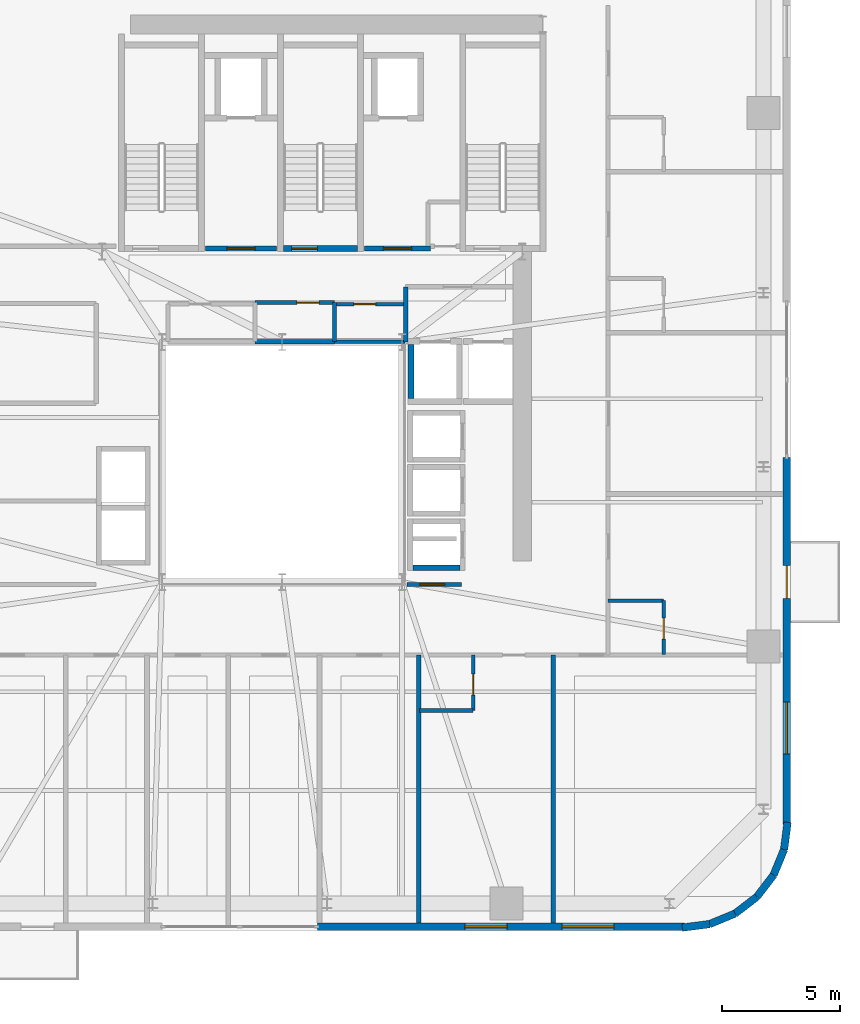
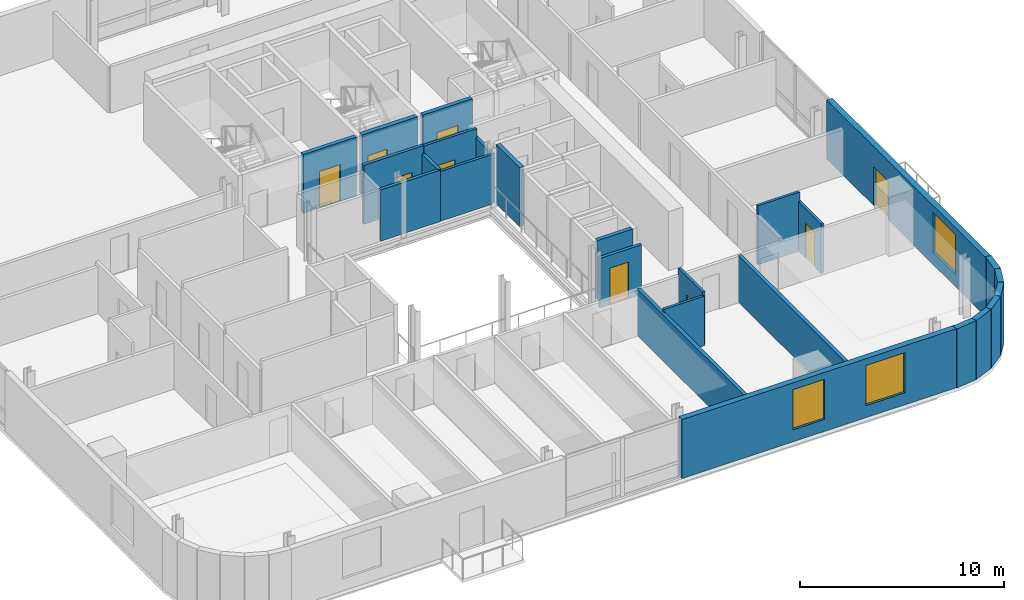
# One storey, part 9 of 16: 26 walls, 9 doors, 3 windows, 12 openings.
"""IFC4 building model written with IfcOpenShell, lengths in metres."""

import ifcopenshell
import ifcopenshell.guid

model = None  # the IFC model being written
_history = None  # IfcOwnerHistory: only IFC2X3 demands one
_inside = {}  # id of a spatial element -> (the spatial element, [elements in it])
_under = {}  # id of a project, library or spatial element -> (it, [spatial elements below it])
_declared = {}  # id of a project -> (the project, [libraries it declares])
_typed = {}  # id of a type object -> (the type object, [elements of that type])
_made_of = {}  # id of a material, layer set ... -> (it, [elements and type objects made of it])


def new_model(schema):
    """Start an empty IFC model of exactly this schema.

    Asked for "IFC4X3", IfcOpenShell would pick the latest addendum, in which some entities
    have other attributes; the version numbers below select the first issue.
    IFC2X3 requires an IfcOwnerHistory on every rooted entity: one is made here for all.
    """
    global model, _history
    if schema == "IFC4X3":
        model = ifcopenshell.file(schema_version=(4, 3, 0, 0))
    else:
        model = ifcopenshell.file(schema=schema)
    _inside.clear()
    _under.clear()
    _declared.clear()
    _typed.clear()
    _made_of.clear()
    _history = None
    if model.schema == "IFC2X3":
        org = make("IfcOrganization", Name="unknown")
        user = make(
            "IfcPersonAndOrganization",
            ThePerson=make("IfcPerson", FamilyName="unknown"),
            TheOrganization=org,
        )
        app = make(
            "IfcApplication",
            ApplicationDeveloper=org,
            Version="unknown",
            ApplicationFullName="unknown",
            ApplicationIdentifier="unknown",
        )
        _history = make(
            "IfcOwnerHistory",
            OwningUser=user,
            OwningApplication=app,
            ChangeAction="ADDED",
            CreationDate=0,
        )
    return model


def make(cls, **values):
    """One entity of the class cls with the attributes given. An attribute that is None is left unset."""
    return model.create_entity(
        cls, **{name: value for name, value in values.items() if value is not None}
    )


def rooted(cls, **values):
    """An entity with a GlobalId (a new one), such as an element, a storey or a relation."""
    return make(cls, GlobalId=ifcopenshell.guid.new(), OwnerHistory=_history, **values)


def si_unit(unit_type, name, prefix=None):
    """IfcSIUnit, for example si_unit("LENGTHUNIT", "METRE", prefix="MILLI")."""
    return make("IfcSIUnit", UnitType=unit_type, Prefix=prefix, Name=name)


def assignment(units):
    """IfcUnitAssignment: the units of a project."""
    return None if units is None else make("IfcUnitAssignment", Units=units)


def point(xyz):
    """IfcCartesianPoint."""
    return None if xyz is None else make("IfcCartesianPoint", Coordinates=xyz)


def direction(xyz):
    """IfcDirection."""
    return None if xyz is None else make("IfcDirection", DirectionRatios=xyz)


def frame(location, z_axis=None, x_axis=None):
    """IfcAxis2Placement3D, a coordinate frame: its origin and axes. An axis left out is left unset."""
    return make(
        "IfcAxis2Placement3D",
        Location=point(location),
        Axis=direction(z_axis),
        RefDirection=direction(x_axis),
    )


def frame_2d(location, x_axis=None):
    """IfcAxis2Placement2D, a coordinate frame in the plane: its origin and x axis."""
    return make(
        "IfcAxis2Placement2D", Location=point(location), RefDirection=direction(x_axis)
    )


def origin():
    """The frame at (0, 0, 0) with its axes left unset."""
    return frame((0.0, 0.0, 0.0))


def place(relative_to, where):
    """IfcLocalPlacement: puts the frame where relative to a parent placement (None: the world)."""
    return make(
        "IfcLocalPlacement", PlacementRelTo=relative_to, RelativePlacement=where
    )


def context(
    kind, dimensions, precision=None, world=None, true_north=None, identifier=None
):
    """IfcGeometricRepresentationContext, for example the 3D "Model" context."""
    return make(
        "IfcGeometricRepresentationContext",
        ContextIdentifier=identifier,
        ContextType=kind,
        CoordinateSpaceDimension=dimensions,
        Precision=precision,
        WorldCoordinateSystem=world,
        TrueNorth=true_north,
    )


def subcontext(parent, identifier, kind, view, scale=None):
    """IfcGeometricRepresentationSubContext, for example "Body" below "Model"."""
    return make(
        "IfcGeometricRepresentationSubContext",
        ContextIdentifier=identifier,
        ContextType=kind,
        ParentContext=parent,
        TargetScale=scale,
        TargetView=view,
    )


def project(units=None, contexts=None):
    """IfcProject with its units and contexts."""
    return rooted(
        "IfcProject",
        Name="project",
        RepresentationContexts=contexts,
        UnitsInContext=assignment(units),
    )


def spatial(cls, under=None, at=None, **own):
    """A site, building, storey or space (cls), placed at a placement, below another one or the project."""
    s = rooted(cls, ObjectPlacement=at, **own)
    if under is not None:
        _under.setdefault(under.id(), (under, []))[1].append(s)
    return s


def profile(cls, at=None, kind="AREA", **sizes):
    """A parametric profile (cls). Its sizes go by their IFC names, for example OverallWidth=200.0."""
    return make(cls, ProfileType=kind, Position=at, **sizes)


def rectangle(**sizes):
    """IfcRectangleProfileDef."""
    return profile("IfcRectangleProfileDef", **sizes)


def extrude(swept, where, along, depth):
    """IfcExtrudedAreaSolid: the profile swept, set in the frame where, extruded along a direction by depth."""
    return make(
        "IfcExtrudedAreaSolid",
        SweptArea=swept,
        Position=where,
        ExtrudedDirection=direction(along),
        Depth=depth,
    )


def shape(context_of_items, identifier, shape_type, items):
    """IfcShapeRepresentation: the items that make up one representation, for example the "Body"."""
    return make(
        "IfcShapeRepresentation",
        ContextOfItems=context_of_items,
        RepresentationIdentifier=identifier,
        RepresentationType=shape_type,
        Items=items,
    )


def source(mapping_origin, context_of_items, identifier, shape_type, items):
    """IfcRepresentationMap: a shape defined once, which mapped items show again and again."""
    return make(
        "IfcRepresentationMap",
        MappingOrigin=mapping_origin,
        MappedRepresentation=shape(context_of_items, identifier, shape_type, items),
    )


def transform(
    local_origin,
    x_axis=None,
    y_axis=None,
    z_axis=None,
    scale=None,
    scale2=None,
    scale3=None,
    uniform=True,
):
    """IfcCartesianTransformationOperator3D, or its non-uniform kind. x_axis, y_axis, z_axis: its Axis1, 2, 3."""
    if uniform:
        return make(
            "IfcCartesianTransformationOperator3D",
            Axis1=direction(x_axis),
            Axis2=direction(y_axis),
            LocalOrigin=point(local_origin),
            Scale=scale,
            Axis3=direction(z_axis),
        )
    return make(
        "IfcCartesianTransformationOperator3DnonUniform",
        Axis1=direction(x_axis),
        Axis2=direction(y_axis),
        LocalOrigin=point(local_origin),
        Scale=scale,
        Axis3=direction(z_axis),
        Scale2=scale2,
        Scale3=scale3,
    )


def mapped(mapping_source, mapping_target):
    """IfcMappedItem: shows the shape of a source again, moved by a transform."""
    return make(
        "IfcMappedItem", MappingSource=mapping_source, MappingTarget=mapping_target
    )


def material(Name=None, Category=None):
    """IfcMaterial."""
    return make("IfcMaterial", Name=Name, Category=Category)


def layer(
    of_material, thickness, ventilated=None, Name=None, Category=None, Priority=None
):
    """IfcMaterialLayer: one layer of a wall or slab, of a material (None: an air gap)."""
    return make(
        "IfcMaterialLayer",
        Material=of_material,
        LayerThickness=thickness,
        IsVentilated=ventilated,
        Name=Name,
        Category=Category,
        Priority=Priority,
    )


def layer_set(layers, Name=None):
    """IfcMaterialLayerSet."""
    return make("IfcMaterialLayerSet", MaterialLayers=layers, LayerSetName=Name)


def made_of(thing, what):
    """Note that an element or type object is made of a material, layer set ...; save() writes the relation."""
    if what is not None:
        _made_of.setdefault(what.id(), (what, []))[1].append(thing)
    return thing


def type_object(cls, material=None, **own):
    """A type object (cls), such as IfcWallType, which elements share."""
    return made_of(rooted(cls, **own), material)


def element(
    cls,
    number,
    at=None,
    inside=None,
    cuts=None,
    type_object=None,
    material=None,
    context=None,
    identifier="Body",
    shape_type=None,
    held_by="IfcProductDefinitionShape",
    body=None,
    shapes=None,
    **own,
):
    """One element of the class cls, such as IfcWall. Its Tag is "e" and its number.

    at: its placement. inside: the storey or other place that contains it. cuts: it is an
    opening in that element (IfcRelVoidsElement). A single representation is given by context,
    identifier, shape_type and body (its items); several are given by shapes. held_by: the class
    of the entity that holds the representations. save() writes the other relations.
    """
    e = rooted(cls, Tag="e%d" % number, ObjectPlacement=at, **own)
    if body is not None:
        shapes = [shape(context, identifier, shape_type, body)]
    if shapes is not None:
        e.Representation = make(held_by, Representations=shapes)
    if inside is not None:
        _inside.setdefault(inside.id(), (inside, []))[1].append(e)
    if cuts is not None:
        rooted(
            "IfcRelVoidsElement", RelatingBuildingElement=cuts, RelatedOpeningElement=e
        )
    if type_object is not None:
        _typed.setdefault(type_object.id(), (type_object, []))[1].append(e)
    return made_of(e, material)


def fill(opening, filler):
    """IfcRelFillsElement: the door or window that sits in an opening."""
    return rooted(
        "IfcRelFillsElement",
        RelatingOpeningElement=opening,
        RelatedBuildingElement=filler,
    )


def aggregate(whole, parts):
    """IfcRelAggregates: a whole, such as a stair, and the parts it consists of."""
    return rooted("IfcRelAggregates", RelatingObject=whole, RelatedObjects=parts)


def save(model, path):
    """Write the relations noted so far, then the file.

    IfcRelAggregates (storeys below a building ...), IfcRelContainedInSpatialStructure (elements
    in a storey), IfcRelDefinesByType, IfcRelAssociatesMaterial and IfcRelDeclares: one each for
    every whole, place, type object, material and project.
    """
    for whole, parts in _under.values():
        aggregate(whole, parts)
    for where, things in _inside.values():
        rooted(
            "IfcRelContainedInSpatialStructure",
            RelatedElements=things,
            RelatingStructure=where,
        )
    for kind, things in _typed.values():
        rooted("IfcRelDefinesByType", RelatedObjects=things, RelatingType=kind)
    for what, things in _made_of.values():
        rooted("IfcRelAssociatesMaterial", RelatedObjects=things, RelatingMaterial=what)
    for by, libraries in _declared.values():
        rooted("IfcRelDeclares", RelatingContext=by, RelatedDefinitions=libraries)
    model.write(path)


model = new_model("IFC4")

# Units and contexts
model_context = context("Model", 3, precision=1e-05, world=origin(), true_north=direction((0.0, 1.0)))
body_context = subcontext(model_context, "Body", "Model", "MODEL_VIEW")
ifc_project = project(units=[si_unit("LENGTHUNIT", "METRE"), si_unit("AREAUNIT", "SQUARE_METRE"), si_unit("VOLUMEUNIT", "CUBIC_METRE"), si_unit("PLANEANGLEUNIT", "RADIAN"), si_unit("MASSUNIT", "GRAM", prefix="KILO")], contexts=[model_context])

# Site, building, storey
site_placement = place(None, origin())
site = spatial("IfcSite", under=ifc_project, at=site_placement, CompositionType="ELEMENT")
building_placement = place(site_placement, origin())
building = spatial("IfcBuilding", under=site, at=building_placement, Name="Vardaveli Station Tower", CompositionType="ELEMENT")
storey_placement = place(building_placement, frame((0.0, 0.0, 184.800048828125)))
storey = spatial("IfcBuildingStorey", under=building, at=storey_placement, Name="L47", CompositionType="ELEMENT", Elevation=184.800048828125)

# Wall, openings, windows
ifc_material_1 = material(Name="Precast concrete C45/55", Category="concrete")
ifc_layer_1 = layer(ifc_material_1, 0.320068359375, Name="Precast concrete C45/55")
ifc_layer_set_1 = layer_set([ifc_layer_1], Name="Precast concrete C45/55")
wall_type_1 = type_object("IfcWallType", Name="WAL-EXT-STONE-320", PredefinedType="SOLIDWALL", material=ifc_layer_set_1)
shared_shape_1 = source(origin(), body_context, "Body", "SweptSolid", [
    extrude(rectangle(XDim=15.599853515625, YDim=0.320068359375, at=frame_2d((7.7998046875, 0.0))), origin(), (0.0, 0.0, 1.0), 3.530029296875),
])
wall_1_placement = place(storey_placement, frame((37.800048828125, 1.9599609375, 0.0), z_axis=(0.0, 0.0, 1.0), x_axis=(1.0, 0.0, 0.0)))
wall_1 = element("IfcWall", 1, at=wall_1_placement, inside=storey, type_object=wall_type_1, Name="EW-L47-S2", PredefinedType="SOLIDWALL", context=body_context, shape_type="MappedRepresentation", body=[
    mapped(shared_shape_1, transform((0.0, 0.0, 0.0), scale=1.0)),
])
shared_shape_2 = source(origin(), body_context, "Body", "SweptSolid", [
    extrude(rectangle(XDim=2.199951171875, YDim=2.39990234375, at=frame_2d((1.10009765625, 1.199951171875))), frame((0.0, 0.169921875, 0.0), z_axis=(0.0, -1.0, 0.0), x_axis=(1.0, 0.0, 0.0)), (0.0, 0.0, 1.0), 0.340087890625),
])
opening_1_placement = place(wall_1_placement, frame((10.39501953125, 0.0, 0.719970703125)))
opening_1 = element("IfcOpeningElement", 2, at=opening_1_placement, cuts=wall_1, Name="Opening W-03", PredefinedType="OPENING", context=body_context, shape_type="MappedRepresentation", body=[
    mapped(shared_shape_2, transform((0.0, 0.0, 0.0), scale=1.0)),
])
shared_shape_3 = source(origin(), body_context, "Body", "SweptSolid", [
    extrude(rectangle(XDim=1.800048828125, YDim=2.39990234375, at=frame_2d((0.89990234375, 1.199951171875))), frame((0.0, 0.169921875, 0.0), z_axis=(0.0, -1.0, 0.0), x_axis=(1.0, 0.0, 0.0)), (0.0, 0.0, 1.0), 0.340087890625),
])
opening_2_placement = place(wall_1_placement, frame((6.262451171875, 0.0, 0.719970703125)))
opening_2 = element("IfcOpeningElement", 3, at=opening_2_placement, cuts=wall_1, Name="Opening W-05", PredefinedType="OPENING", context=body_context, shape_type="MappedRepresentation", body=[
    mapped(shared_shape_3, transform((0.0, 0.0, 0.0), scale=1.0)),
])
ifc_material_2 = material(Name="Low-E solar-control glass", Category="glass")
window_type_1 = type_object("IfcWindowType", Name="WIN-LOG-2200x2400", PartitioningType="SINGLE_PANEL", PredefinedType="WINDOW", material=ifc_material_2)
shared_shape_4 = source(origin(), body_context, "Body", "SweptSolid", [
    extrude(rectangle(XDim=2.199951171875, YDim=2.39990234375, at=frame_2d((1.10009765625, 1.199951171875))), frame((0.0, 0.030029296875, 0.0), z_axis=(0.0, -1.0, 0.0), x_axis=(1.0, 0.0, 0.0)), (0.0, 0.0, 1.0), 0.06005859375),
])
window_1_placement = place(opening_1_placement, origin())
window_1 = element("IfcWindow", 4, at=window_1_placement, inside=storey, type_object=window_type_1, Name="WN-L47-S2", OverallHeight=2.39990234375, OverallWidth=2.199951171875, PartitioningType="SINGLE_PANEL", PredefinedType="WINDOW", context=body_context, shape_type="MappedRepresentation", body=[
    mapped(shared_shape_4, transform((0.0, 0.0, 0.0), scale=1.0)),
])
fill(opening_1, window_1)
window_type_2 = type_object("IfcWindowType", Name="WIN-HIGH-1800x2400", PartitioningType="SINGLE_PANEL", PredefinedType="WINDOW", material=ifc_material_2)
shared_shape_5 = source(origin(), body_context, "Body", "SweptSolid", [
    extrude(rectangle(XDim=1.800048828125, YDim=2.39990234375, at=frame_2d((0.89990234375, 1.199951171875))), frame((0.0, 0.030029296875, 0.0), z_axis=(0.0, -1.0, 0.0), x_axis=(1.0, 0.0, 0.0)), (0.0, 0.0, 1.0), 0.06005859375),
])
window_2_placement = place(opening_2_placement, origin())
window_2 = element("IfcWindow", 5, at=window_2_placement, inside=storey, type_object=window_type_2, Name="WN-L47-GW1", OverallHeight=2.39990234375, OverallWidth=1.800048828125, PartitioningType="SINGLE_PANEL", PredefinedType="WINDOW", context=body_context, shape_type="MappedRepresentation", body=[
    mapped(shared_shape_5, transform((0.0, 0.0, 0.0), scale=1.0)),
])
fill(opening_2, window_2)

# Wall, openings, door, window
wall_2_placement = place(storey_placement, frame((57.739990234375, 6.300048828125, 0.0), z_axis=(0.0, 0.0, 1.0), x_axis=(0.0, 1.0, 0.0)))
wall_2 = element("IfcWall", 6, at=wall_2_placement, inside=storey, type_object=wall_type_1, Name="EW-L47-E1", PredefinedType="SOLIDWALL", context=body_context, shape_type="MappedRepresentation", body=[
    mapped(shared_shape_1, transform((0.0, 0.0, 0.0), scale=1.0)),
])
shared_shape_6 = source(origin(), body_context, "Body", "SweptSolid", [
    extrude(rectangle(XDim=1.39990234375, YDim=2.300048828125, at=frame_2d((0.699951171875, 1.14990234375))), frame((0.0, 0.169921875, 0.0), z_axis=(0.0, -1.0, 0.0), x_axis=(1.0, 0.0, 0.0)), (0.0, 0.0, 1.0), 0.340087890625),
])
opening_3_placement = place(wall_2_placement, frame((9.6103515625, 0.0, 0.0)))
opening_3 = element("IfcOpeningElement", 7, at=opening_3_placement, cuts=wall_2, Name="Opening D-09", PredefinedType="OPENING", context=body_context, shape_type="MappedRepresentation", body=[
    mapped(shared_shape_6, transform((0.0, 0.0, 0.0), scale=1.0)),
])
opening_4_placement = place(wall_2_placement, frame((3.0048828125, 0.0, 0.719970703125)))
opening_4 = element("IfcOpeningElement", 8, at=opening_4_placement, cuts=wall_2, Name="Opening W-03", PredefinedType="OPENING", context=body_context, shape_type="MappedRepresentation", body=[
    mapped(shared_shape_2, transform((0.0, 0.0, 0.0), scale=1.0)),
])
ifc_material_3 = material(Name="Thermally broken aluminium glass", Category="aluminium")
door_type_1 = type_object("IfcDoorType", Name="DR-LOG-1400x2300", OperationType="DOUBLE_DOOR_SLIDING", PredefinedType="DOOR", material=ifc_material_3)
shared_shape_7 = source(origin(), body_context, "Body", "SweptSolid", [
    extrude(rectangle(XDim=1.39990234375, YDim=2.300048828125, at=frame_2d((0.699951171875, 1.14990234375))), frame((0.0, 0.02490234375, 0.0), z_axis=(0.0, -1.0, 0.0), x_axis=(1.0, 0.0, 0.0)), (0.0, 0.0, 1.0), 0.050048828125),
])
door_1_placement = place(opening_3_placement, frame((1.39990234375, 0.0, 0.0), z_axis=(0.0, 0.0, 1.0), x_axis=(-1.0, 0.0, 0.0)))
door_1 = element("IfcDoor", 9, at=door_1_placement, inside=storey, type_object=door_type_1, Name="DLG-L47-E", OperationType="DOUBLE_DOOR_SLIDING", OverallHeight=2.300048828125, OverallWidth=1.39990234375, PredefinedType="DOOR", context=body_context, shape_type="MappedRepresentation", body=[
    mapped(shared_shape_7, transform((0.0, 0.0, 0.0), scale=1.0)),
])
fill(opening_3, door_1)
window_3_placement = place(opening_4_placement, origin())
window_3 = element("IfcWindow", 10, at=window_3_placement, inside=storey, type_object=window_type_1, Name="WN-L47-E1", OverallHeight=2.39990234375, OverallWidth=2.199951171875, PartitioningType="SINGLE_PANEL", PredefinedType="WINDOW", context=body_context, shape_type="MappedRepresentation", body=[
    mapped(shared_shape_4, transform((0.0, 0.0, 0.0), scale=1.0)),
])
fill(opening_4, window_3)

# Walls
shared_shape_8 = source(origin(), body_context, "Body", "SweptSolid", [
    extrude(rectangle(XDim=1.170654296875, YDim=0.320068359375, at=frame_2d((0.58544921875, 0.0))), origin(), (0.0, 0.0, 1.0), 3.530029296875),
])
wall_3_placement = place(storey_placement, frame((57.62548828125, 5.23974609375, 0.0), z_axis=(0.0, 0.0, 1.0), x_axis=(0.128269133229, 0.991739395941, 0.0)))
element("IfcWall", 11, at=wall_3_placement, inside=storey, type_object=wall_type_1, Name="EW-L47-CR2-6", PredefinedType="SOLIDWALL", context=body_context, shape_type="MappedRepresentation", body=[
    mapped(shared_shape_8, transform((0.0, 0.0, 0.0), scale=1.0)),
])
shared_shape_9 = source(origin(), body_context, "Body", "SweptSolid", [
    extrude(rectangle(XDim=1.1689453125, YDim=0.320068359375, at=frame_2d((0.58447265625, 0.0))), origin(), (0.0, 0.0, 1.0), 3.530029296875),
])
for number, where, z_axis, x_axis, name in (
    (12, (56.46875, 3.231201171875, 0.0), (0.0, 0.0, 1.0), (0.608387696831, 0.793639975269, 0.0), "EW-L47-CR2-4"),
    (13, (57.179931640625, 4.158935546875, 0.0), (0.0, 0.0, 1.0), (0.381127904695, 0.924522320046, 0.0), "EW-L47-CR2-5"),
):
    element("IfcWall", number, at=place(storey_placement, frame(where, z_axis=z_axis, x_axis=x_axis)), inside=storey, type_object=wall_type_1, Name=name, PredefinedType="SOLIDWALL", context=body_context, shape_type="MappedRepresentation", body=[
        mapped(shared_shape_9, transform((0.0, 0.0, 0.0), scale=1.0)),
    ])
shared_shape_10 = source(origin(), body_context, "Body", "SweptSolid", [
    extrude(rectangle(XDim=1.168701171875, YDim=0.320068359375, at=frame_2d((0.58447265625, 0.0))), origin(), (0.0, 0.0, 1.0), 3.530029296875),
])
wall_4_placement = place(storey_placement, frame((55.541259765625, 2.520263671875, 0.0), z_axis=(0.0, 0.0, 1.0), x_axis=(0.793663520347, 0.608356981114, 0.0)))
element("IfcWall", 14, at=wall_4_placement, inside=storey, type_object=wall_type_1, Name="EW-L47-CR2-3", PredefinedType="SOLIDWALL", context=body_context, shape_type="MappedRepresentation", body=[
    mapped(shared_shape_10, transform((0.0, 0.0, 0.0), scale=1.0)),
])
shared_shape_11 = source(origin(), body_context, "Body", "SweptSolid", [
    extrude(rectangle(XDim=1.16943359375, YDim=0.320068359375, at=frame_2d((0.584716796875, 0.0))), origin(), (0.0, 0.0, 1.0), 3.530029296875),
])
wall_5_placement = place(storey_placement, frame((54.460205078125, 2.074462890625, 0.0), z_axis=(0.0, 0.0, 1.0), x_axis=(0.924479075121, 0.381232789334, 0.0)))
element("IfcWall", 15, at=wall_5_placement, inside=storey, type_object=wall_type_1, Name="EW-L47-CR2-2", PredefinedType="SOLIDWALL", context=body_context, shape_type="MappedRepresentation", body=[
    mapped(shared_shape_11, transform((0.0, 0.0, 0.0), scale=1.0)),
])
shared_shape_12 = source(origin(), body_context, "Body", "SweptSolid", [
    extrude(rectangle(XDim=1.170166015625, YDim=0.320068359375, at=frame_2d((0.5849609375, 0.0))), origin(), (0.0, 0.0, 1.0), 3.530029296875),
])
wall_6_placement = place(storey_placement, frame((53.299560546875, 1.924560546875, 0.0), z_axis=(0.0, 0.0, 1.0), x_axis=(0.991762485493, 0.128090485085, 0.0)))
element("IfcWall", 16, at=wall_6_placement, inside=storey, type_object=wall_type_1, Name="EW-L47-CR2-1", PredefinedType="SOLIDWALL", context=body_context, shape_type="MappedRepresentation", body=[
    mapped(shared_shape_12, transform((0.0, 0.0, 0.0), scale=1.0)),
])

# Wall, opening, door
ifc_material_4 = material(Name="Concrete C40/50", Category="concrete")
ifc_layer_2 = layer(ifc_material_4, 0.25, Name="Concrete C40/50")
ifc_layer_set_2 = layer_set([ifc_layer_2], Name="Concrete C40/50")
wall_type_2 = type_object("IfcWallType", Name="WAL-SHAFT-250", PredefinedType="SOLIDWALL", material=ifc_layer_set_2)
shared_shape_13 = source(origin(), body_context, "Body", "SweptSolid", [
    extrude(rectangle(XDim=3.14990234375, YDim=0.25, at=frame_2d((1.574951171875, 0.0))), origin(), (0.0, 0.0, 1.0), 3.550048828125),
])
wall_7_placement = place(storey_placement, frame((36.35009765625, 30.77490234375, 0.0), z_axis=(0.0, 0.0, 1.0), x_axis=(1.0, 0.0, 0.0)))
wall_7 = element("IfcWall", 17, at=wall_7_placement, inside=storey, type_object=wall_type_2, Name="W-L47-ST-2S", PredefinedType="SOLIDWALL", context=body_context, shape_type="MappedRepresentation", body=[
    mapped(shared_shape_13, transform((0.0, 0.0, 0.0), scale=1.0)),
])
shared_shape_14 = source(origin(), body_context, "Body", "SweptSolid", [
    extrude(rectangle(XDim=1.10009765625, YDim=2.199951171875, at=frame_2d((0.550048828125, 1.10009765625))), frame((0.0, 0.135009765625, 0.0), z_axis=(0.0, -1.0, 0.0), x_axis=(1.0, 0.0, 0.0)), (0.0, 0.0, 1.0), 0.27001953125),
])
opening_5_placement = place(wall_7_placement, frame((0.35009765625, 0.0, 0.0)))
opening_5 = element("IfcOpeningElement", 18, at=opening_5_placement, cuts=wall_7, Name="Opening D-04", PredefinedType="OPENING", context=body_context, shape_type="MappedRepresentation", body=[
    mapped(shared_shape_14, transform((0.0, 0.0, 0.0), scale=1.0)),
])
ifc_material_5 = material(Name="Steel smokeproof fire doorset", Category="steel")
door_type_2 = type_object("IfcDoorType", Name="DR-ST-1100x2200", OperationType="NOTDEFINED", PredefinedType="DOOR", material=ifc_material_5)
shared_shape_15 = source(origin(), body_context, "Body", "SweptSolid", [
    extrude(rectangle(XDim=1.10009765625, YDim=2.199951171875, at=frame_2d((0.550048828125, 1.10009765625))), frame((0.0, 0.02490234375, 0.0), z_axis=(0.0, -1.0, 0.0), x_axis=(1.0, 0.0, 0.0)), (0.0, 0.0, 1.0), 0.050048828125),
])
door_2_placement = place(opening_5_placement, origin())
door_2 = element("IfcDoor", 19, at=door_2_placement, inside=storey, type_object=door_type_2, Name="DST-2-L47", OperationType="SINGLE_SWING_LEFT", OverallHeight=2.199951171875, OverallWidth=1.10009765625, PredefinedType="DOOR", context=body_context, shape_type="MappedRepresentation", body=[
    mapped(shared_shape_15, transform((0.0, 0.0, 0.0), scale=1.0)),
])
fill(opening_5, door_2)

ifc_layer_3 = layer(ifc_material_4, 0.219970703125, Name="Concrete C40/50")
ifc_layer_set_3 = layer_set([ifc_layer_3], Name="Concrete C40/50")
wall_type_3 = type_object("IfcWallType", Name="WAL-FFLOBBY-220", PredefinedType="SOLIDWALL", material=ifc_layer_set_3)
shared_shape_16 = source(origin(), body_context, "Body", "SweptSolid", [
    extrude(rectangle(XDim=3.0, YDim=0.219970703125, at=frame_2d((1.5, 0.0))), origin(), (0.0, 0.0, 1.0), 3.530029296875),
])
wall_8_placement = place(storey_placement, frame((33.050048828125, 30.780029296875, 0.0), z_axis=(0.0, 0.0, 1.0), x_axis=(1.0, 0.0, 0.0)))
wall_8 = element("IfcWall", 20, at=wall_8_placement, inside=storey, type_object=wall_type_3, Name="W-L47-FFL1S", PredefinedType="SOLIDWALL", context=body_context, shape_type="MappedRepresentation", body=[
    mapped(shared_shape_16, transform((0.0, 0.0, 0.0), scale=1.0)),
])
shared_shape_17 = source(origin(), body_context, "Body", "SweptSolid", [
    extrude(rectangle(XDim=1.199951171875, YDim=2.199951171875, at=frame_2d((0.60009765625, 1.10009765625))), frame((0.0, 0.1201171875, 0.0), z_axis=(0.0, -1.0, 0.0), x_axis=(1.0, 0.0, 0.0)), (0.0, 0.0, 1.0), 0.239990234375),
])
opening_6_placement = place(wall_8_placement, frame((0.89990234375, 0.0, 0.0)))
opening_6 = element("IfcOpeningElement", 21, at=opening_6_placement, cuts=wall_8, Name="Opening D-03", PredefinedType="OPENING", context=body_context, shape_type="MappedRepresentation", body=[
    mapped(shared_shape_17, transform((0.0, 0.0, 0.0), scale=1.0)),
])
door_type_3 = type_object("IfcDoorType", Name="DR-FFL-1200x2200", OperationType="NOTDEFINED", PredefinedType="DOOR", material=ifc_material_5)
shared_shape_18 = source(origin(), body_context, "Body", "SweptSolid", [
    extrude(rectangle(XDim=1.199951171875, YDim=2.199951171875, at=frame_2d((0.60009765625, 1.10009765625))), frame((0.0, 0.02490234375, 0.0), z_axis=(0.0, -1.0, 0.0), x_axis=(1.0, 0.0, 0.0)), (0.0, 0.0, 1.0), 0.050048828125),
])
door_3_placement = place(opening_6_placement, origin())
door_3 = element("IfcDoor", 22, at=door_3_placement, inside=storey, type_object=door_type_3, Name="DFFL1-L47", OperationType="SINGLE_SWING_LEFT", OverallHeight=2.199951171875, OverallWidth=1.199951171875, PredefinedType="DOOR", context=body_context, shape_type="MappedRepresentation", body=[
    mapped(shared_shape_18, transform((0.0, 0.0, 0.0), scale=1.0)),
])
fill(opening_6, door_3)

shared_shape_19 = source(origin(), body_context, "Body", "SweptSolid", [
    extrude(rectangle(XDim=2.800048828125, YDim=0.219970703125, at=frame_2d((1.39990234375, 0.0))), origin(), (0.0, 0.0, 1.0), 3.530029296875),
])
wall_9_placement = place(storey_placement, frame((39.800048828125, 30.780029296875, 0.0), z_axis=(0.0, 0.0, 1.0), x_axis=(1.0, 0.0, 0.0)))
wall_9 = element("IfcWall", 23, at=wall_9_placement, inside=storey, type_object=wall_type_3, Name="W-L47-FFL2S", PredefinedType="SOLIDWALL", context=body_context, shape_type="MappedRepresentation", body=[
    mapped(shared_shape_19, transform((0.0, 0.0, 0.0), scale=1.0)),
])
opening_7_placement = place(wall_9_placement, frame((0.800048828125, 0.0, 0.0)))
opening_7 = element("IfcOpeningElement", 24, at=opening_7_placement, cuts=wall_9, Name="Opening D-03", PredefinedType="OPENING", context=body_context, shape_type="MappedRepresentation", body=[
    mapped(shared_shape_17, transform((0.0, 0.0, 0.0), scale=1.0)),
])
door_4_placement = place(opening_7_placement, origin())
door_4 = element("IfcDoor", 25, at=door_4_placement, inside=storey, type_object=door_type_3, Name="DFFL2-L47", OperationType="SINGLE_SWING_RIGHT", OverallHeight=2.199951171875, OverallWidth=1.199951171875, PredefinedType="DOOR", context=body_context, shape_type="MappedRepresentation", body=[
    mapped(shared_shape_18, transform((0.0, 0.0, 0.0), scale=1.0)),
])
fill(opening_7, door_4)

# Walls
shared_shape_20 = source(origin(), body_context, "Body", "SweptSolid", [
    extrude(rectangle(XDim=2.0, YDim=0.219970703125, at=frame_2d((1.0, 0.0))), origin(), (0.0, 0.0, 1.0), 3.530029296875),
])
wall_10_placement = place(storey_placement, frame((41.85009765625, 17.215087890625, 0.0), z_axis=(0.0, 0.0, 1.0), x_axis=(1.0, 0.0, 0.0)))
element("IfcWall", 26, at=wall_10_placement, inside=storey, type_object=wall_type_3, Name="SHW-HL3-03-L47-S", PredefinedType="SOLIDWALL", context=body_context, shape_type="MappedRepresentation", body=[
    mapped(shared_shape_20, transform((0.0, 0.0, 0.0), scale=1.0)),
])
shared_shape_21 = source(origin(), body_context, "Body", "SweptSolid", [
    extrude(rectangle(XDim=2.300048828125, YDim=0.25, at=frame_2d((1.14990234375, 0.0))), origin(), (0.0, 0.0, 1.0), 3.530029296875),
])
wall_11_placement = place(storey_placement, frame((41.77490234375, 24.39990234375, 0.0), z_axis=(0.0, 0.0, 1.0), x_axis=(0.0, 1.0, 0.0)))
element("IfcWall", 27, at=wall_11_placement, inside=storey, type_object=wall_type_2, Name="SHW-SRV-01-L47-W", PredefinedType="SOLIDWALL", context=body_context, shape_type="MappedRepresentation", body=[
    mapped(shared_shape_21, transform((0.0, 0.0, 0.0), scale=1.0)),
])

# Wall, opening, door
ifc_material_6 = material(Name="Fire-rated gypsum stud partition")
ifc_layer_4 = layer(ifc_material_6, 0.179931640625, Name="Fire-rated gypsum stud partition")
ifc_layer_set_4 = layer_set([ifc_layer_4], Name="Fire-rated gypsum stud partition")
wall_type_4 = type_object("IfcWallType", Name="WAL-CORR-180", PredefinedType="PARTITIONING", material=ifc_layer_set_4)
shared_shape_22 = source(origin(), body_context, "Body", "SweptSolid", [
    extrude(rectangle(XDim=3.3701171875, YDim=0.179931640625, at=frame_2d((1.68505859375, 0.0))), origin(), (0.0, 0.0, 1.0), 3.530029296875),
])
wall_12_placement = place(storey_placement, frame((35.14990234375, 28.47998046875, 0.0), z_axis=(0.0, 0.0, 1.0), x_axis=(1.0, 0.0, 0.0)))
wall_12 = element("IfcWall", 28, at=wall_12_placement, inside=storey, type_object=wall_type_4, Name="W-L47-HKP2-N", PredefinedType="PARTITIONING", context=body_context, shape_type="MappedRepresentation", body=[
    mapped(shared_shape_22, transform((0.0, 0.0, 0.0), scale=1.0)),
])
shared_shape_23 = source(origin(), body_context, "Body", "SweptSolid", [
    extrude(rectangle(XDim=0.949951171875, YDim=2.14990234375, at=frame_2d((0.47509765625, 1.074951171875))), frame((0.0, 0.10009765625, 0.0), z_axis=(0.0, -1.0, 0.0), x_axis=(1.0, 0.0, 0.0)), (0.0, 0.0, 1.0), 0.199951171875),
])
opening_8_placement = place(wall_12_placement, frame((1.77490234375, 0.0, 0.0)))
opening_8 = element("IfcOpeningElement", 29, at=opening_8_placement, cuts=wall_12, Name="Opening D-06", PredefinedType="OPENING", context=body_context, shape_type="MappedRepresentation", body=[
    mapped(shared_shape_23, transform((0.0, 0.0, 0.0), scale=1.0)),
])
ifc_material_7 = material(Name="Oak veneer acoustic fire door")
door_type_4 = type_object("IfcDoorType", Name="DR-GUEST-950x2150", OperationType="NOTDEFINED", PredefinedType="DOOR", material=ifc_material_7)
shared_shape_24 = source(origin(), body_context, "Body", "SweptSolid", [
    extrude(rectangle(XDim=0.949951171875, YDim=2.14990234375, at=frame_2d((0.47509765625, 1.074951171875))), frame((0.0, 0.02490234375, 0.0), z_axis=(0.0, -1.0, 0.0), x_axis=(1.0, 0.0, 0.0)), (0.0, 0.0, 1.0), 0.050048828125),
])
door_5_placement = place(opening_8_placement, origin())
door_5 = element("IfcDoor", 30, at=door_5_placement, inside=storey, type_object=door_type_4, Name="D-L47-HKP", OperationType="SINGLE_SWING_LEFT", OverallHeight=2.14990234375, OverallWidth=0.949951171875, PredefinedType="DOOR", context=body_context, shape_type="MappedRepresentation", body=[
    mapped(shared_shape_24, transform((0.0, 0.0, 0.0), scale=1.0)),
])
fill(opening_8, door_5)

ifc_material_8 = material(Name="Moisture-resistant stud partition")
ifc_layer_5 = layer(ifc_material_8, 0.14990234375, Name="Moisture-resistant stud partition")
ifc_layer_set_5 = layer_set([ifc_layer_5], Name="Moisture-resistant stud partition")
wall_type_5 = type_object("IfcWallType", Name="WAL-WET-150", PredefinedType="PARTITIONING", material=ifc_layer_set_5)
shared_shape_25 = source(origin(), body_context, "Body", "SweptSolid", [
    extrude(rectangle(XDim=3.0, YDim=0.14990234375, at=frame_2d((1.5, 0.0))), origin(), (0.0, 0.0, 1.0), 3.530029296875),
])
wall_13_placement = place(storey_placement, frame((38.52001953125, 28.419921875, 0.0), z_axis=(0.0, 0.0, 1.0), x_axis=(1.0, 0.0, 0.0)))
wall_13 = element("IfcWall", 31, at=wall_13_placement, inside=storey, type_object=wall_type_5, Name="W-L47-WCA2-N", PredefinedType="PARTITIONING", context=body_context, shape_type="MappedRepresentation", body=[
    mapped(shared_shape_25, transform((0.0, 0.0, 0.0), scale=1.0)),
])
shared_shape_26 = source(origin(), body_context, "Body", "SweptSolid", [
    extrude(rectangle(XDim=0.919921875, YDim=2.10009765625, at=frame_2d((0.4599609375, 1.050048828125))), frame((0.0, 0.0849609375, 0.0), z_axis=(0.0, -1.0, 0.0), x_axis=(1.0, 0.0, 0.0)), (0.0, 0.0, 1.0), 0.169921875),
])
opening_9_placement = place(wall_13_placement, frame((0.830078125, 0.0, 0.0)))
opening_9 = element("IfcOpeningElement", 32, at=opening_9_placement, cuts=wall_13, Name="Opening D-07", PredefinedType="OPENING", context=body_context, shape_type="MappedRepresentation", body=[
    mapped(shared_shape_26, transform((0.0, 0.0, 0.0), scale=1.0)),
])
ifc_material_9 = material(Name="Moisture-resistant hardwood door", Category="wood")
door_type_5 = type_object("IfcDoorType", Name="DR-WC-920x2100", OperationType="NOTDEFINED", PredefinedType="DOOR", material=ifc_material_9)
shared_shape_27 = source(origin(), body_context, "Body", "SweptSolid", [
    extrude(rectangle(XDim=0.919921875, YDim=2.10009765625, at=frame_2d((0.4599609375, 1.050048828125))), frame((0.0, 0.02490234375, 0.0), z_axis=(0.0, -1.0, 0.0), x_axis=(1.0, 0.0, 0.0)), (0.0, 0.0, 1.0), 0.050048828125),
])
door_6_placement = place(opening_9_placement, origin())
door_6 = element("IfcDoor", 33, at=door_6_placement, inside=storey, type_object=door_type_5, Name="D-L47-WCA", OperationType="SINGLE_SWING_LEFT", OverallHeight=2.10009765625, OverallWidth=0.919921875, PredefinedType="DOOR", context=body_context, shape_type="MappedRepresentation", body=[
    mapped(shared_shape_27, transform((0.0, 0.0, 0.0), scale=1.0)),
])
fill(opening_9, door_6)

shared_shape_28 = source(origin(), body_context, "Body", "SweptSolid", [
    extrude(rectangle(XDim=2.360107421875, YDim=0.14990234375, at=frame_2d((1.18017578125, 0.0))), origin(), (0.0, 0.0, 1.0), 3.19189453125),
])
wall_14_placement = place(storey_placement, frame((44.4150390625, 11.14990234375, 0.0), z_axis=(0.0, 0.0, 1.0), x_axis=(0.0, 1.0, 0.0)))
wall_14 = element("IfcWall", 34, at=wall_14_placement, inside=storey, type_object=wall_type_5, Name="W-L47-BS7-E", PredefinedType="PARTITIONING", context=body_context, shape_type="MappedRepresentation", body=[
    mapped(shared_shape_28, transform((0.0, 0.0, 0.0), scale=1.0)),
])
shared_shape_29 = source(origin(), body_context, "Body", "SweptSolid", [
    extrude(rectangle(XDim=0.89990234375, YDim=2.10009765625, at=frame_2d((0.449951171875, 1.050048828125))), frame((0.0, 0.0849609375, 0.0), z_axis=(0.0, -1.0, 0.0), x_axis=(1.0, 0.0, 0.0)), (0.0, 0.0, 1.0), 0.169921875),
])
opening_10_placement = place(wall_14_placement, frame((0.64990234375, 0.0, 0.0)))
opening_10 = element("IfcOpeningElement", 35, at=opening_10_placement, cuts=wall_14, Name="Opening D-08", PredefinedType="OPENING", context=body_context, shape_type="MappedRepresentation", body=[
    mapped(shared_shape_29, transform((0.0, 0.0, 0.0), scale=1.0)),
])
ifc_material_10 = material(Name="Moisture-resistant oak door")
door_type_6 = type_object("IfcDoorType", Name="DR-BATH-900x2100", OperationType="NOTDEFINED", PredefinedType="DOOR", material=ifc_material_10)
shared_shape_30 = source(origin(), body_context, "Body", "SweptSolid", [
    extrude(rectangle(XDim=0.89990234375, YDim=2.10009765625, at=frame_2d((0.449951171875, 1.050048828125))), frame((0.0, 0.02490234375, 0.0), z_axis=(0.0, -1.0, 0.0), x_axis=(1.0, 0.0, 0.0)), (0.0, 0.0, 1.0), 0.050048828125),
])
door_7_placement = place(opening_10_placement, origin())
door_7 = element("IfcDoor", 36, at=door_7_placement, inside=storey, type_object=door_type_6, Name="D-L47-BS7", OperationType="SINGLE_SWING_RIGHT", OverallHeight=2.10009765625, OverallWidth=0.89990234375, PredefinedType="DOOR", context=body_context, shape_type="MappedRepresentation", body=[
    mapped(shared_shape_30, transform((0.0, 0.0, 0.0), scale=1.0)),
])
fill(opening_10, door_7)

shared_shape_31 = source(origin(), body_context, "Body", "SweptSolid", [
    extrude(rectangle(XDim=2.329833984375, YDim=0.179931640625, at=frame_2d((1.1650390625, 0.0))), origin(), (0.0, 0.0, 1.0), 2.971923828125),
])
wall_15_placement = place(storey_placement, frame((41.60009765625, 16.5, 0.0), z_axis=(0.0, 0.0, 1.0), x_axis=(1.0, 0.0, 0.0)))
wall_15 = element("IfcWall", 37, at=wall_15_placement, inside=storey, type_object=wall_type_4, Name="W-L47-ATE-S", PredefinedType="PARTITIONING", context=body_context, shape_type="MappedRepresentation", body=[
    mapped(shared_shape_31, transform((0.0, 0.0, 0.0), scale=1.0)),
])
shared_shape_32 = source(origin(), body_context, "Body", "SweptSolid", [
    extrude(rectangle(XDim=1.050048828125, YDim=2.199951171875, at=frame_2d((0.52490234375, 1.10009765625))), frame((0.0, 0.10009765625, 0.0), z_axis=(0.0, -1.0, 0.0), x_axis=(1.0, 0.0, 0.0)), (0.0, 0.0, 1.0), 0.199951171875),
])
opening_11_placement = place(wall_15_placement, frame((0.550048828125, 0.0, 0.0)))
opening_11 = element("IfcOpeningElement", 38, at=opening_11_placement, cuts=wall_15, Name="Opening D-05", PredefinedType="OPENING", context=body_context, shape_type="MappedRepresentation", body=[
    mapped(shared_shape_32, transform((0.0, 0.0, 0.0), scale=1.0)),
])
ifc_material_11 = material(Name="Walnut veneer acoustic fire door")
door_type_7 = type_object("IfcDoorType", Name="DR-SUITE-1050x2200", OperationType="NOTDEFINED", PredefinedType="DOOR", material=ifc_material_11)
shared_shape_33 = source(origin(), body_context, "Body", "SweptSolid", [
    extrude(rectangle(XDim=1.050048828125, YDim=2.199951171875, at=frame_2d((0.52490234375, 1.10009765625))), frame((0.0, 0.02490234375, 0.0), z_axis=(0.0, -1.0, 0.0), x_axis=(1.0, 0.0, 0.0)), (0.0, 0.0, 1.0), 0.050048828125),
])
door_8_placement = place(opening_11_placement, origin())
door_8 = element("IfcDoor", 39, at=door_8_placement, inside=storey, type_object=door_type_7, Name="D-L47-ATE1", OperationType="SINGLE_SWING_RIGHT", OverallHeight=2.199951171875, OverallWidth=1.050048828125, PredefinedType="DOOR", context=body_context, shape_type="MappedRepresentation", body=[
    mapped(shared_shape_33, transform((0.0, 0.0, 0.0), scale=1.0)),
])
fill(opening_11, door_8)

shared_shape_34 = source(origin(), body_context, "Body", "SweptSolid", [
    extrude(rectangle(XDim=2.2900390625, YDim=0.14990234375, at=frame_2d((1.14501953125, 0.0))), origin(), (0.0, 0.0, 1.0), 2.971923828125),
])
wall_16_placement = place(storey_placement, frame((52.510009765625, 13.530029296875, 0.0), z_axis=(0.0, 0.0, 1.0), x_axis=(0.0, 1.0, 0.0)))
wall_16 = element("IfcWall", 40, at=wall_16_placement, inside=storey, type_object=wall_type_5, Name="W-L47-BE1-E", PredefinedType="PARTITIONING", context=body_context, shape_type="MappedRepresentation", body=[
    mapped(shared_shape_34, transform((0.0, 0.0, 0.0), scale=1.0)),
])
opening_12_placement = place(wall_16_placement, frame((0.64990234375, 0.0, 0.0)))
opening_12 = element("IfcOpeningElement", 41, at=opening_12_placement, cuts=wall_16, Name="Opening D-08", PredefinedType="OPENING", context=body_context, shape_type="MappedRepresentation", body=[
    mapped(shared_shape_29, transform((0.0, 0.0, 0.0), scale=1.0)),
])
door_9_placement = place(opening_12_placement, origin())
door_9 = element("IfcDoor", 42, at=door_9_placement, inside=storey, type_object=door_type_6, Name="D-L47-BE1", OperationType="SINGLE_SWING_LEFT", OverallHeight=2.10009765625, OverallWidth=0.89990234375, PredefinedType="DOOR", context=body_context, shape_type="MappedRepresentation", body=[
    mapped(shared_shape_30, transform((0.0, 0.0, 0.0), scale=1.0)),
])
fill(opening_12, door_9)

# Walls
wall_17_placement = place(storey_placement, frame((42.125, 11.14990234375, 0.0), z_axis=(0.0, 0.0, 1.0), x_axis=(1.0, 0.0, 0.0)))
element("IfcWall", 43, at=wall_17_placement, inside=storey, type_object=wall_type_5, Name="W-L47-BS7-S", PredefinedType="PARTITIONING", context=body_context, shape_type="MappedRepresentation", body=[
    mapped(shared_shape_34, transform((0.0, 0.0, 0.0), scale=1.0)),
])
ifc_material_12 = material(Name="Acoustic twin-stud gypsum partition")
ifc_layer_6 = layer(ifc_material_12, 0.199951171875, Name="Acoustic twin-stud gypsum partition")
ifc_layer_set_6 = layer_set([ifc_layer_6], Name="Acoustic twin-stud gypsum partition")
wall_type_6 = type_object("IfcWallType", Name="WAL-PARTY-200", PredefinedType="PARTITIONING", material=ifc_layer_set_6)
shared_shape_35 = source(origin(), body_context, "Body", "SweptSolid", [
    extrude(rectangle(XDim=11.387939453125, YDim=0.199951171875, at=frame_2d((5.69384765625, 0.0))), origin(), (0.0, 0.0, 1.0), 2.77197265625),
])
for number, where, z_axis, x_axis, name in (
    (44, (42.10498046875, 2.1220703125, 0.0), (0.0, 0.0, 1.0), (0.0, 1.0, 0.0), "W-L47-PS6"),
    (45, (47.820068359375, 2.1220703125, 0.0), (0.0, 0.0, 1.0), (0.0, 1.0, 0.0), "W-L47-PS7"),
):
    element("IfcWall", number, at=place(storey_placement, frame(where, z_axis=z_axis, x_axis=x_axis)), inside=storey, type_object=wall_type_6, Name=name, PredefinedType="PARTITIONING", context=body_context, shape_type="MappedRepresentation", body=[
        mapped(shared_shape_35, transform((0.0, 0.0, 0.0), scale=1.0)),
    ])
shared_shape_36 = source(origin(), body_context, "Body", "SweptSolid", [
    extrude(rectangle(XDim=3.3701171875, YDim=0.179931640625, at=frame_2d((1.68505859375, 0.0))), origin(), (0.0, 0.0, 1.0), 3.072021484375),
])
wall_18_placement = place(storey_placement, frame((35.14990234375, 26.820068359375, 0.0), z_axis=(0.0, 0.0, 1.0), x_axis=(1.0, 0.0, 0.0)))
element("IfcWall", 46, at=wall_18_placement, inside=storey, type_object=wall_type_4, Name="W-L47-HKP2-S", PredefinedType="PARTITIONING", context=body_context, shape_type="MappedRepresentation", body=[
    mapped(shared_shape_36, transform((0.0, 0.0, 0.0), scale=1.0)),
])
shared_shape_37 = source(origin(), body_context, "Body", "SweptSolid", [
    extrude(rectangle(XDim=3.0, YDim=0.14990234375, at=frame_2d((1.5, 0.0))), origin(), (0.0, 0.0, 1.0), 2.971923828125),
])
wall_19_placement = place(storey_placement, frame((38.52001953125, 26.820068359375, 0.0), z_axis=(0.0, 0.0, 1.0), x_axis=(1.0, 0.0, 0.0)))
element("IfcWall", 47, at=wall_19_placement, inside=storey, type_object=wall_type_5, Name="W-L47-WCA2-S", PredefinedType="PARTITIONING", context=body_context, shape_type="MappedRepresentation", body=[
    mapped(shared_shape_37, transform((0.0, 0.0, 0.0), scale=1.0)),
])
shared_shape_38 = source(origin(), body_context, "Body", "SweptSolid", [
    extrude(rectangle(XDim=2.360107421875, YDim=0.14990234375, at=frame_2d((1.18017578125, 0.0))), origin(), (0.0, 0.0, 1.0), 3.530029296875),
])
wall_20_placement = place(storey_placement, frame((50.14990234375, 15.820068359375, 0.0), z_axis=(0.0, 0.0, 1.0), x_axis=(1.0, 0.0, 0.0)))
element("IfcWall", 48, at=wall_20_placement, inside=storey, type_object=wall_type_5, Name="W-L47-BE1-N", PredefinedType="PARTITIONING", context=body_context, shape_type="MappedRepresentation", body=[
    mapped(shared_shape_38, transform((0.0, 0.0, 0.0), scale=1.0)),
])
shared_shape_39 = source(origin(), body_context, "Body", "SweptSolid", [
    extrude(rectangle(XDim=2.349853515625, YDim=0.179931640625, at=frame_2d((1.1748046875, 0.0))), origin(), (0.0, 0.0, 1.0), 2.971923828125),
])
wall_21_placement = place(storey_placement, frame((41.550048828125, 26.800048828125, 0.0), z_axis=(0.0, 0.0, 1.0), x_axis=(0.0, 1.0, 0.0)))
element("IfcWall", 49, at=wall_21_placement, inside=storey, type_object=wall_type_4, Name="W-L47-SVFW", PredefinedType="PARTITIONING", context=body_context, shape_type="MappedRepresentation", body=[
    mapped(shared_shape_39, transform((0.0, 0.0, 0.0), scale=1.0)),
])
shared_shape_40 = source(origin(), body_context, "Body", "SweptSolid", [
    extrude(rectangle(XDim=1.659912109375, YDim=0.179931640625, at=frame_2d((0.830078125, 0.0))), origin(), (0.0, 0.0, 1.0), 3.072021484375),
])
wall_22_placement = place(storey_placement, frame((38.52001953125, 26.820068359375, 0.0), z_axis=(0.0, 0.0, 1.0), x_axis=(0.0, 1.0, 0.0)))
element("IfcWall", 50, at=wall_22_placement, inside=storey, type_object=wall_type_4, Name="W-L47-HKP2-E", PredefinedType="PARTITIONING", context=body_context, shape_type="MappedRepresentation", body=[
    mapped(shared_shape_40, transform((0.0, 0.0, 0.0), scale=1.0)),
])

save(model, "model.ifc")
